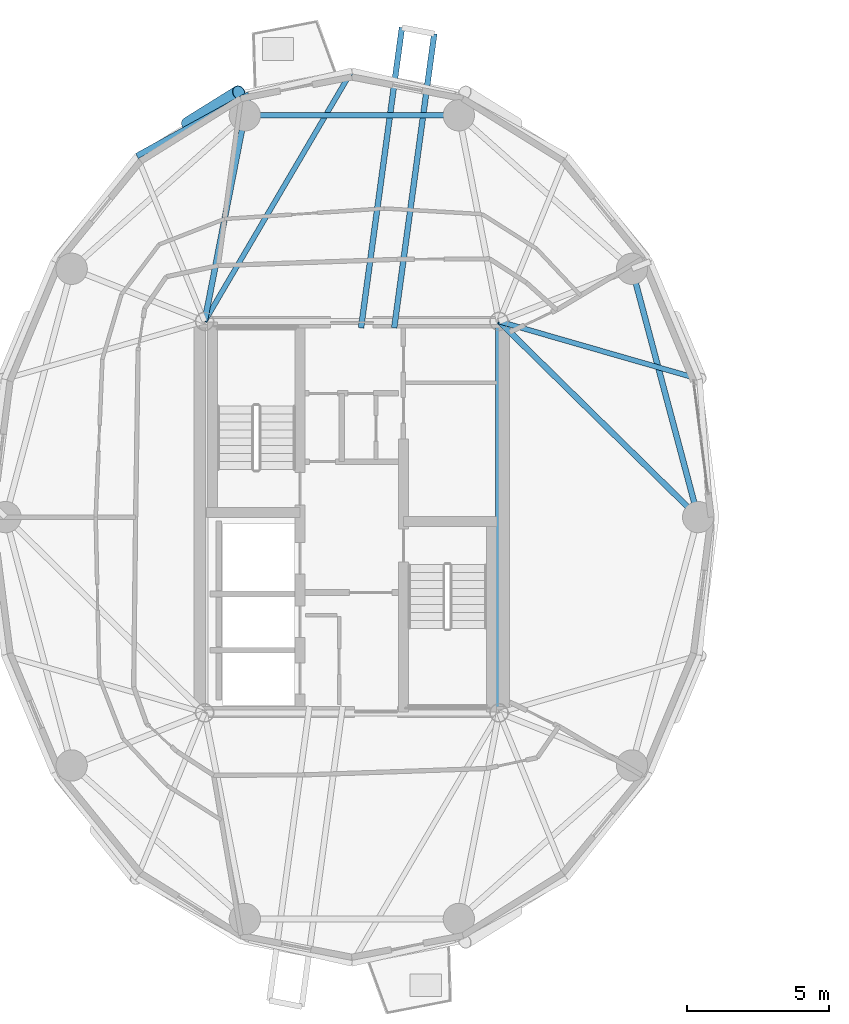
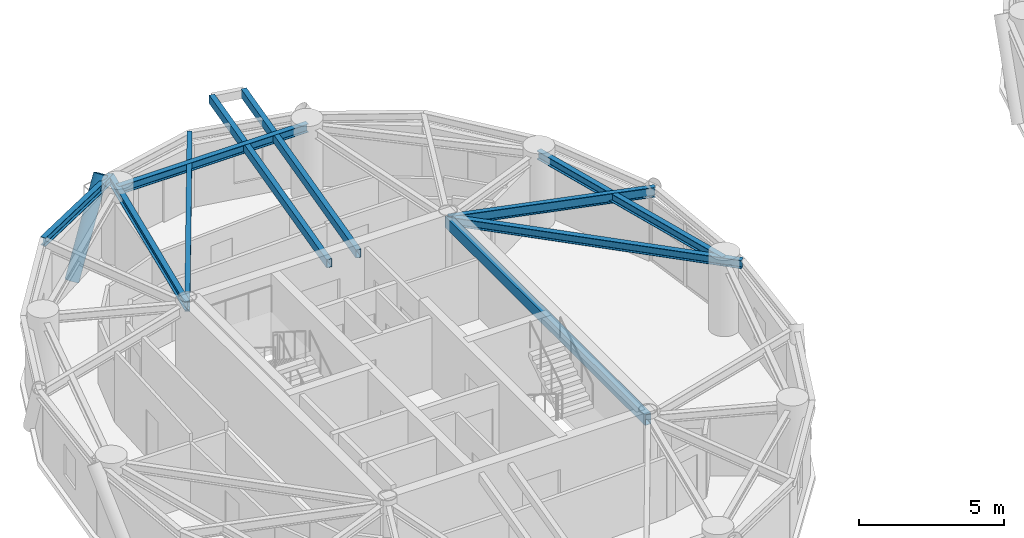
# One storey, part 2 of 17: 10 beams, 1 member.
"""IFC4 building model written with IfcOpenShell, lengths in metres."""

from ifc_helpers import new_model, si_unit, direction, frame, origin, origin_2d, place, context, subcontext, project, spatial, hollow_rectangle, hollow_circle, i_section, extrude, material, material_profile, profile_set, type_object, element, save


model = new_model("IFC4")

# Units and contexts
model_context = context("Model", 3, precision=1e-05, world=origin(), true_north=direction((0.0, 1.0)))
body_context = subcontext(model_context, "Body", "Model", "MODEL_VIEW")
ifc_project = project(units=[si_unit("LENGTHUNIT", "METRE"), si_unit("AREAUNIT", "SQUARE_METRE"), si_unit("VOLUMEUNIT", "CUBIC_METRE"), si_unit("PLANEANGLEUNIT", "RADIAN"), si_unit("MASSUNIT", "GRAM", prefix="KILO")], contexts=[model_context])

# Site, building, storey
site_placement = place(None, origin())
site = spatial("IfcSite", under=ifc_project, at=site_placement, CompositionType="ELEMENT")
building_placement = place(site_placement, origin())
building = spatial("IfcBuilding", under=site, at=building_placement, Name="Cununo Teusaquillo Station Towers", CompositionType="ELEMENT")
storey_placement = place(building_placement, frame((0.0, 0.0, 222.85009765625)))
storey = spatial("IfcBuildingStorey", under=building, at=storey_placement, Name="L71", CompositionType="ELEMENT", Elevation=222.85009765625)

# Beams
ifc_material_1 = material(Name="Steel EN 10025-2 S355J2", Category="steel")
ifc_material_profile_1 = material_profile(ifc_material_1, hollow_rectangle(XDim=0.199951171875, YDim=0.35009765625, WallThickness=0.013916015625, at=origin_2d()), Name="RHS 350x200x14")
ifc_profile_set_1 = profile_set([ifc_material_profile_1], Name="Steel EN 10025-2 S355J2")
beam_type_1 = type_object("IfcBeamType", Name="BM-BAL-CANT", PredefinedType="BEAM", material=ifc_profile_set_1)
beam_1_placement = place(storey_placement, frame((17.9892578125, 31.14990234375, 2.81494140625), z_axis=(0.135018196505, 0.990843119072, 0.0), x_axis=(-0.990843119072, 0.135018196505, 0.0)))
element("IfcBeam", 1, at=beam_1_placement, inside=storey, type_object=beam_type_1, Name="L71 Tower A Balcony Cantilever Bracket 1A", PredefinedType="BEAM", context=body_context, shape_type="SweptSolid", body=[
    extrude(hollow_rectangle(XDim=0.199951171875, YDim=0.35009765625, WallThickness=0.013916015625, at=origin_2d()), origin(), (0.0, 0.0, 1.0), 10.43505859375),
])
beam_2_placement = place(storey_placement, frame((16.822998046875, 31.14990234375, 2.81494140625), z_axis=(0.135006880627, 0.990844660975, 0.0), x_axis=(-0.990844660975, 0.135006880627, 0.0)))
element("IfcBeam", 2, at=beam_2_placement, inside=storey, type_object=beam_type_1, Name="L71 Tower A Balcony Cantilever Bracket 1B", PredefinedType="BEAM", context=body_context, shape_type="SweptSolid", body=[
    extrude(hollow_rectangle(XDim=0.199951171875, YDim=0.35009765625, WallThickness=0.013916015625, at=origin_2d()), origin(), (0.0, 0.0, 1.0), 10.65673828125),
])
ifc_material_2 = material(Name="Steel EN 10025-2 S355J2", Category="steel")
ifc_material_profile_2 = material_profile(ifc_material_2, hollow_rectangle(XDim=0.25, YDim=0.449951171875, WallThickness=0.01611328125, at=origin_2d()), Name="RHS 450x250x16")
ifc_profile_set_2 = profile_set([ifc_material_profile_2], Name="Steel EN 10025-2 S355J2")
beam_type_2 = type_object("IfcBeamType", Name="BM-COUP-1", PredefinedType="USERDEFINED", material=ifc_profile_set_2)
beam_3_placement = place(storey_placement, frame((21.675048828125, 17.6201171875, 2.764892578125), z_axis=(0.0, 1.0, 0.0), x_axis=(-1.0, 0.0, 0.0)))
element("IfcBeam", 3, at=beam_3_placement, inside=storey, type_object=beam_type_2, Name="L71 Tower A Core Beam 2", ObjectType="COUPLING BEAM", PredefinedType="USERDEFINED", context=body_context, shape_type="SweptSolid", body=[
    extrude(hollow_rectangle(XDim=0.25, YDim=0.449951171875, WallThickness=0.01611328125, at=origin_2d()), origin(), (0.0, 0.0, 1.0), 13.759765625),
])
ifc_material_3 = material(Name="Steel ASTM A572 Grade 50", Category="steel")
ifc_material_profile_3 = material_profile(ifc_material_3, i_section(OverallWidth=0.180908203125, OverallDepth=0.4169921875, WebThickness=0.010986328125, FlangeThickness=0.018310546875, FilletRadius=0.012939453125, at=origin_2d()), Name="W16X57")
ifc_profile_set_3 = profile_set([ifc_material_profile_3], Name="Steel ASTM A572 Grade 50")
beam_type_3 = type_object("IfcBeamType", Name="BM-JOIST-1", PredefinedType="JOIST", material=ifc_profile_set_3)
beam_4_placement = place(storey_placement, frame((21.675048828125, 31.3798828125, 2.781494140625), z_axis=(0.960861603375, -0.277028841748, 0.0), x_axis=(0.277028841748, 0.960861603375, 0.0)))
element("IfcBeam", 4, at=beam_4_placement, inside=storey, type_object=beam_type_3, Name="L71 Tower A Radial Spandrel Joist V01", PredefinedType="JOIST", context=body_context, shape_type="SweptSolid", body=[
    extrude(i_section(OverallWidth=0.180908203125, OverallDepth=0.4169921875, WebThickness=0.010986328125, FlangeThickness=0.018310546875, FilletRadius=0.012939453125, at=origin_2d()), origin(), (0.0, 0.0, 1.0), 7.333251953125),
])
beam_5_placement = place(storey_placement, frame((11.324951171875, 31.3798828125, 2.781494140625), z_axis=(0.506486432091, 0.862247930765, 0.0), x_axis=(-0.862247930765, 0.506486432091, 0.0)))
element("IfcBeam", 5, at=beam_5_placement, inside=storey, type_object=beam_type_3, Name="L71 Tower A Radial Spandrel Joist V05", PredefinedType="JOIST", context=body_context, shape_type="SweptSolid", body=[
    extrude(i_section(OverallWidth=0.180908203125, OverallDepth=0.4169921875, WebThickness=0.010986328125, FlangeThickness=0.018310546875, FilletRadius=0.012939453125, at=origin_2d()), origin(), (0.0, 0.0, 1.0), 10.217529296875),
])
ifc_material_4 = material(Name="Steel ASTM A572 Grade 50", Category="steel")
ifc_material_profile_4 = material_profile(ifc_material_4, i_section(OverallWidth=0.2041015625, OverallDepth=0.35009765625, WebThickness=0.008544921875, FlangeThickness=0.01513671875, FilletRadius=0.011962890625, at=origin_2d()), Name="W14X48")
ifc_profile_set_4 = profile_set([ifc_material_profile_4], Name="Steel ASTM A572 Grade 50")
beam_type_4 = type_object("IfcBeamType", Name="BM-RAD-G3", PredefinedType="BEAM", material=ifc_profile_set_4)
beam_6_placement = place(storey_placement, frame((21.675048828125, 31.3798828125, 2.81494140625), z_axis=(0.713043510712, -0.701119784225, 0.0), x_axis=(0.701119784225, 0.713043510712, 0.0)))
element("IfcBeam", 6, at=beam_6_placement, inside=storey, type_object=beam_type_4, Name="L71 Tower A Continuous Overhanging Radial Girder 01", PredefinedType="BEAM", context=body_context, shape_type="SweptSolid", body=[
    extrude(i_section(OverallWidth=0.2041015625, OverallDepth=0.35009765625, WebThickness=0.008544921875, FlangeThickness=0.01513671875, FilletRadius=0.011962890625, at=origin_2d()), origin(), (0.0, 0.0, 1.0), 10.462890625),
])
beam_7_placement = place(storey_placement, frame((11.324951171875, 31.3798828125, 2.81494140625), z_axis=(0.191548487699, 0.981483151593, 0.0), x_axis=(-0.981483151593, 0.191548487699, 0.0)))
element("IfcBeam", 7, at=beam_7_placement, inside=storey, type_object=beam_type_4, Name="L71 Tower A Continuous Overhanging Radial Girder 04", PredefinedType="BEAM", context=body_context, shape_type="SweptSolid", body=[
    extrude(i_section(OverallWidth=0.2041015625, OverallDepth=0.35009765625, WebThickness=0.008544921875, FlangeThickness=0.01513671875, FilletRadius=0.011962890625, at=origin_2d()), origin(), (0.0, 0.0, 1.0), 8.1240234375),
])
ifc_material_5 = material(Name="Steel ASTM A572 Grade 50", Category="steel")
ifc_material_profile_5 = material_profile(ifc_material_5, i_section(OverallWidth=0.2041015625, OverallDepth=0.35009765625, WebThickness=0.008544921875, FlangeThickness=0.01513671875, FilletRadius=0.011962890625, at=origin_2d()), Name="W14X48")
ifc_profile_set_5 = profile_set([ifc_material_profile_5], Name="Steel ASTM A572 Grade 50")
beam_type_5 = type_object("IfcBeamType", Name="BM-RING-Z4", PredefinedType="SPANDREL", material=ifc_profile_set_5)
beam_8_placement = place(storey_placement, frame((28.672119140625, 24.5, 2.81494140625), z_axis=(-0.257363196347, 0.966314744359, 0.0), x_axis=(-0.966314744359, -0.257363196347, 0.0)))
element("IfcBeam", 8, at=beam_8_placement, inside=storey, type_object=beam_type_5, Name="L71 Tower A Structural Column Ring Girder 01", PredefinedType="SPANDREL", context=body_context, shape_type="SweptSolid", body=[
    extrude(i_section(OverallWidth=0.2041015625, OverallDepth=0.35009765625, WebThickness=0.008544921875, FlangeThickness=0.01513671875, FilletRadius=0.011962890625, at=origin_2d()), origin(), (0.0, 0.0, 1.0), 9.03271484375),
])
beam_9_placement = place(storey_placement, frame((20.261474609375, 38.623291015625, 2.81494140625), z_axis=(-1.0, 0.0, 0.0), x_axis=(0.0, -1.0, 0.0)))
element("IfcBeam", 9, at=beam_9_placement, inside=storey, type_object=beam_type_5, Name="L71 Tower A Structural Column Ring Girder 03", PredefinedType="SPANDREL", context=body_context, shape_type="SweptSolid", body=[
    extrude(i_section(OverallWidth=0.2041015625, OverallDepth=0.35009765625, WebThickness=0.008544921875, FlangeThickness=0.01513671875, FilletRadius=0.011962890625, at=origin_2d()), origin(), (0.0, 0.0, 1.0), 7.52294921875),
])
beam_10_placement = place(storey_placement, frame((12.881103515625, 39.353515625, 2.81494140625), z_axis=(-0.876576300909, -0.481262910149, 0.0), x_axis=(0.481262910149, -0.876576300909, 0.0)))
element("IfcBeam", 10, at=beam_10_placement, inside=storey, type_object=beam_type_5, Name="L71 Tower A Spandrel Ring Beam 07", PredefinedType="SPANDREL", context=body_context, shape_type="SweptSolid", body=[
    extrude(i_section(OverallWidth=0.2041015625, OverallDepth=0.35009765625, WebThickness=0.008544921875, FlangeThickness=0.01513671875, FilletRadius=0.011962890625, at=origin_2d()), origin(), (0.0, 0.0, 1.0), 4.488037109375),
])

# Member
ifc_material_6 = material(Name="Steel EN 10025-2 S355J2", Category="steel")
ifc_material_profile_6 = material_profile(ifc_material_6, hollow_circle(Radius=0.25390625, WallThickness=0.01806640625, at=origin_2d()), Name="CHS 508x18")
ifc_profile_set_6 = profile_set([ifc_material_profile_6], Name="Steel EN 10025-2 S355J2")
member_type = type_object("IfcMemberType", Name="MBR-DIAG-Z4", PredefinedType="BRACE", material=ifc_profile_set_6)
member_placement = place(storey_placement, frame((10.738037109375, 38.307861328125, -0.14013671875), z_axis=(0.46730812708, 0.29072986532, 0.834924703058), x_axis=(-0.528249968439, 0.849088906325, 0.0)))
element("IfcMember", 11, at=member_placement, inside=storey, type_object=member_type, Name="L71 Tower A Folded-Zigzag Diagrid Tube C06", PredefinedType="BRACE", context=body_context, shape_type="SweptSolid", body=[
    extrude(hollow_circle(Radius=0.25390625, WallThickness=0.01806640625, at=origin_2d()), origin(), (0.0, 0.0, 1.0), 3.83251953125),
])

save(model, "model.ifc")
